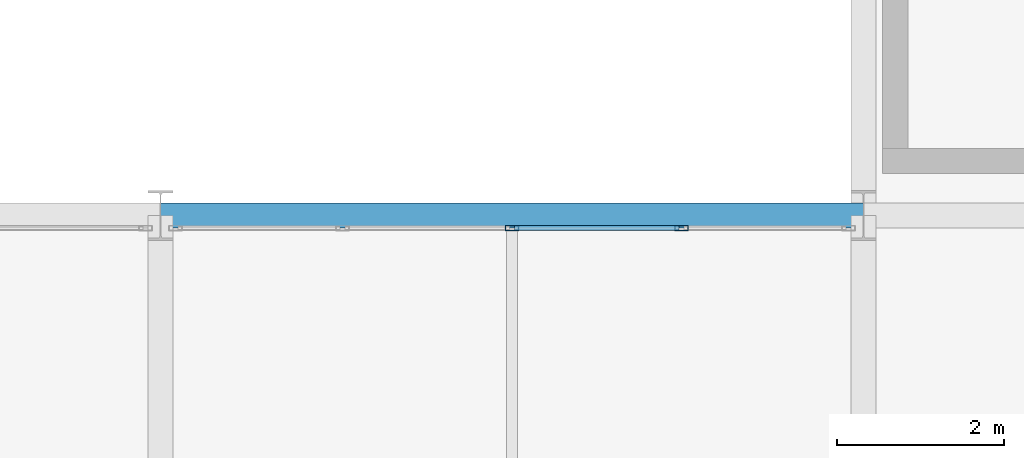
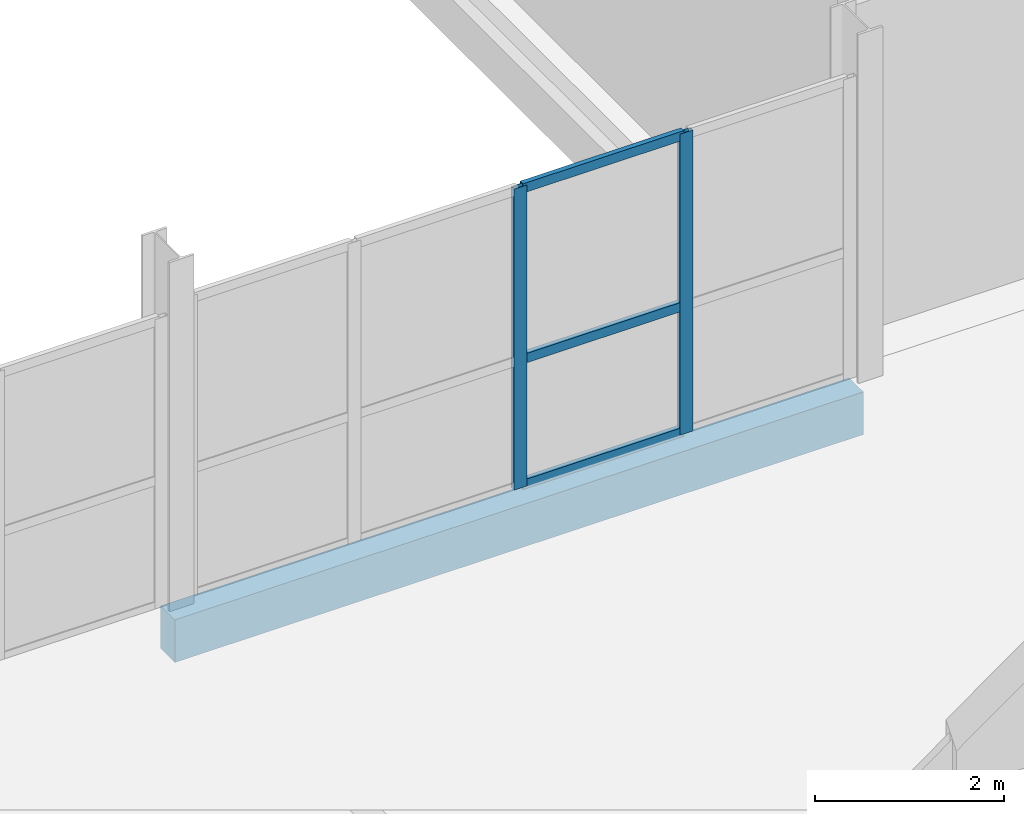
# One storey, part 59 of 130: 5 members, 1 beam, 1 element without a shape of its own.
"""IFC4 building model written with IfcOpenShell, lengths in metres."""

from ifc_helpers import new_model, si_unit, direction, frame, origin, origin_2d, place, context, subcontext, project, spatial, rectangle, hollow_rectangle, extrude, material, material_profile, profile_set, type_object, element, aggregate, save


model = new_model("IFC4")

# Units and contexts
model_context = context("Model", 3, precision=1e-05, world=origin(), true_north=direction((0.0, 1.0)))
body_context = subcontext(model_context, "Body", "Model", "MODEL_VIEW")
ifc_project = project(units=[si_unit("LENGTHUNIT", "METRE"), si_unit("AREAUNIT", "SQUARE_METRE"), si_unit("VOLUMEUNIT", "CUBIC_METRE"), si_unit("PLANEANGLEUNIT", "RADIAN"), si_unit("MASSUNIT", "GRAM", prefix="KILO")], contexts=[model_context])

# Site, building, storey
site_placement = place(None, origin())
site = spatial("IfcSite", under=ifc_project, at=site_placement, CompositionType="ELEMENT")
building_placement = place(site_placement, origin())
building = spatial("IfcBuilding", under=site, at=building_placement, Name="Veltarok Museum of Natural Sciences", CompositionType="ELEMENT")
storey_placement = place(building_placement, frame((0.0, 0.0, 12.89990234375)))
storey = spatial("IfcBuildingStorey", under=building, at=storey_placement, Name="L02", CompositionType="ELEMENT", Elevation=12.89990234375)

# Curtain wall, members
ifc_material_1 = material(Name="Low-iron triple insulated glass", Category="glass")
curtain_wall_type = type_object("IfcCurtainWallType", Name="Curtain Wall System CW-V5CN-L02-0-810x388 (CW-V5CN L02 810x388cm)", PredefinedType="NOTDEFINED", material=ifc_material_1)
curtain_wall_placement = place(storey_placement, origin())
curtain_wall = element("IfcCurtainWall", 1, at=curtain_wall_placement, inside=storey, type_object=curtain_wall_type, Name="Curtain Wall CW-V5CN-L02-0-810x388 CW-0192", PredefinedType="NOTDEFINED")
ifc_material_2 = material(Name="Thermally broken anodised aluminium", Category="aluminium")
ifc_material_profile_1 = material_profile(ifc_material_2, hollow_rectangle(XDim=0.06005859375, YDim=0.1201171875, WallThickness=0.0048828125, at=origin_2d()), Name="CW TRANSOM 60x120x5")
ifc_profile_set_1 = profile_set([ifc_material_profile_1], Name="Thermally broken anodised aluminium")
member_type_1 = type_object("IfcMemberType", Name="Curtain Wall Horizontal Transom 60x120x5", PredefinedType="USERDEFINED", material=ifc_profile_set_1)
member_1_placement = place(storey_placement, frame((130.195068359375, 26.25, 0.028076171875), z_axis=(-1.0, 0.0, 0.0), x_axis=(0.0, -1.0, 0.0)))
member_1 = element("IfcMember", 2, at=member_1_placement, type_object=member_type_1, Name="CW-V5CN-L02-0-810x388 transom 2.1", ObjectType="TRANSOM", PredefinedType="USERDEFINED", context=body_context, shape_type="SweptSolid", body=[
    extrude(hollow_rectangle(XDim=0.06005859375, YDim=0.1201171875, WallThickness=0.0048828125, at=origin_2d()), origin(), (0.0, 0.0, 1.0), 1.965087890625),
])
member_2_placement = place(storey_placement, frame((130.195068359375, 26.25, 1.648193359375), z_axis=(-1.0, 0.0, 0.0), x_axis=(0.0, -1.0, 0.0)))
member_2 = element("IfcMember", 3, at=member_2_placement, type_object=member_type_1, Name="CW-V5CN-L02-0-810x388 transom 2.2", ObjectType="TRANSOM", PredefinedType="USERDEFINED", context=body_context, shape_type="SweptSolid", body=[
    extrude(hollow_rectangle(XDim=0.06005859375, YDim=0.1201171875, WallThickness=0.0048828125, at=origin_2d()), origin(), (0.0, 0.0, 1.0), 1.965087890625),
])
member_3_placement = place(storey_placement, frame((130.195068359375, 26.25, 3.85009765625), z_axis=(-1.0, 0.0, 0.0), x_axis=(0.0, -1.0, 0.0)))
member_3 = element("IfcMember", 4, at=member_3_placement, type_object=member_type_1, Name="CW-V5CN-L02-0-810x388 transom 2.3", ObjectType="TRANSOM", PredefinedType="USERDEFINED", context=body_context, shape_type="SweptSolid", body=[
    extrude(hollow_rectangle(XDim=0.06005859375, YDim=0.1201171875, WallThickness=0.0048828125, at=origin_2d()), origin(), (0.0, 0.0, 1.0), 1.965087890625),
])
ifc_material_profile_2 = material_profile(ifc_material_2, hollow_rectangle(XDim=0.06005859375, YDim=0.159912109375, WallThickness=0.0048828125, at=origin_2d()), Name="CW MULLION 60x160x5")
ifc_profile_set_2 = profile_set([ifc_material_profile_2], Name="Thermally broken anodised aluminium")
member_type_2 = type_object("IfcMemberType", Name="Curtain Wall Vertical Mullion 60x160x5", PredefinedType="MULLION", material=ifc_profile_set_2)
member_4_placement = place(storey_placement, frame((130.22509765625, 26.25, -0.001953125), z_axis=(0.0, 0.0, 1.0), x_axis=(0.0, -1.0, 0.0)))
member_4 = element("IfcMember", 5, at=member_4_placement, type_object=member_type_2, Name="CW-V5CN-L02-0-810x388 mullion 2", PredefinedType="MULLION", context=body_context, shape_type="SweptSolid", body=[
    extrude(hollow_rectangle(XDim=0.06005859375, YDim=0.159912109375, WallThickness=0.0048828125, at=origin_2d()), origin(), (0.0, 0.0, 1.0), 3.882080078125),
])
member_5_placement = place(storey_placement, frame((128.199951171875, 26.25, -0.001953125), z_axis=(0.0, 0.0, 1.0), x_axis=(0.0, -1.0, 0.0)))
member_5 = element("IfcMember", 6, at=member_5_placement, type_object=member_type_2, Name="CW-V5CN-L02-0-810x388 mullion 3", PredefinedType="MULLION", context=body_context, shape_type="SweptSolid", body=[
    extrude(hollow_rectangle(XDim=0.06005859375, YDim=0.159912109375, WallThickness=0.0048828125, at=origin_2d()), origin(), (0.0, 0.0, 1.0), 3.882080078125),
])
aggregate(curtain_wall, [member_4, member_5, member_1, member_2, member_3])

# Beam
ifc_material_3 = material(Name="Precast concrete C40/50", Category="concrete")
ifc_material_profile_3 = material_profile(ifc_material_3, rectangle(XDim=0.300048828125, YDim=0.550048828125, at=origin_2d()), Name="RC 300x550")
ifc_profile_set_3 = profile_set([ifc_material_profile_3], Name="Precast concrete C40/50")
beam_type = type_object("IfcBeamType", Name="East Wing Precast Spandrel RC 300x550", PredefinedType="SPANDREL", material=ifc_profile_set_3)
beam_placement = place(storey_placement, frame((124.0, 26.39990234375, -0.52490234375), z_axis=(1.0, 0.0, 0.0), x_axis=(0.0, 1.0, 0.0)))
element("IfcBeam", 7, at=beam_placement, inside=storey, type_object=beam_type, Name="Beam BM-SP02 L02 15-16/D", PredefinedType="SPANDREL", context=body_context, shape_type="SweptSolid", body=[
    extrude(rectangle(XDim=0.300048828125, YDim=0.550048828125, at=origin_2d()), origin(), (0.0, 0.0, 1.0), 8.39990234375),
])

save(model, "model.ifc")
